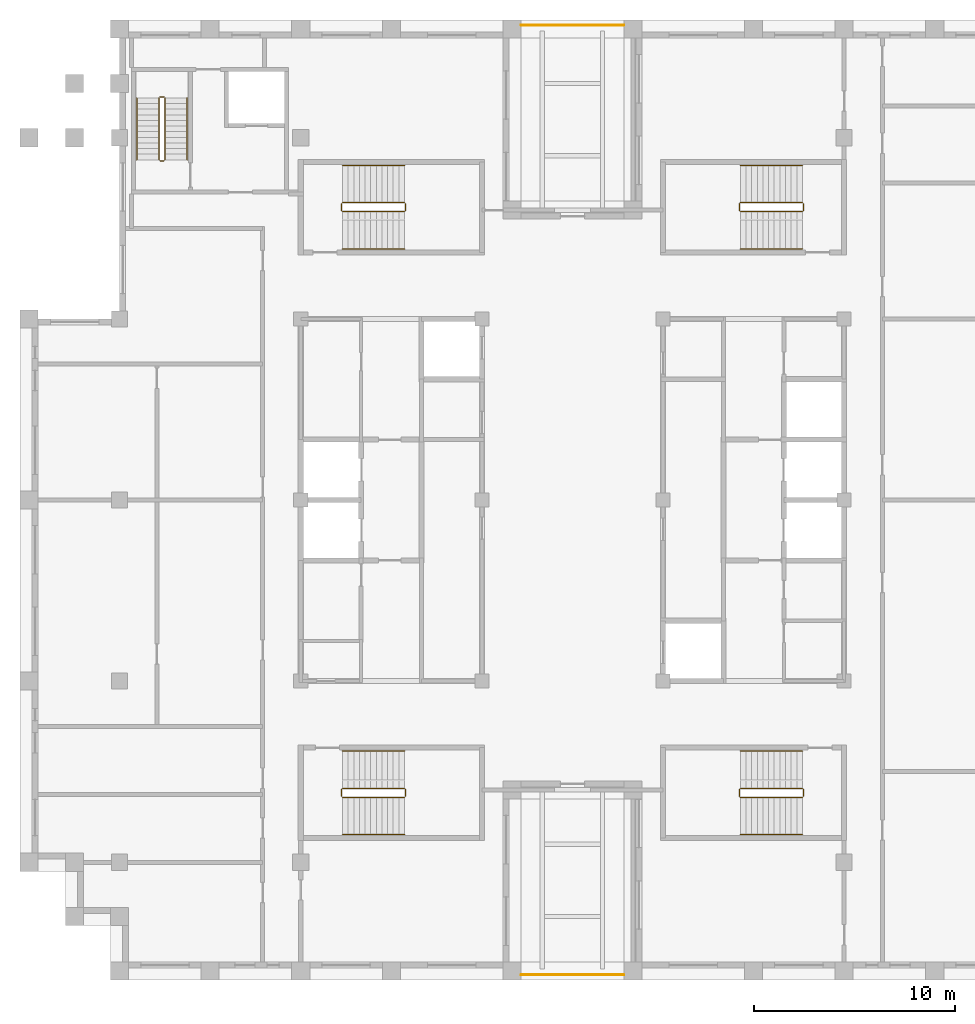
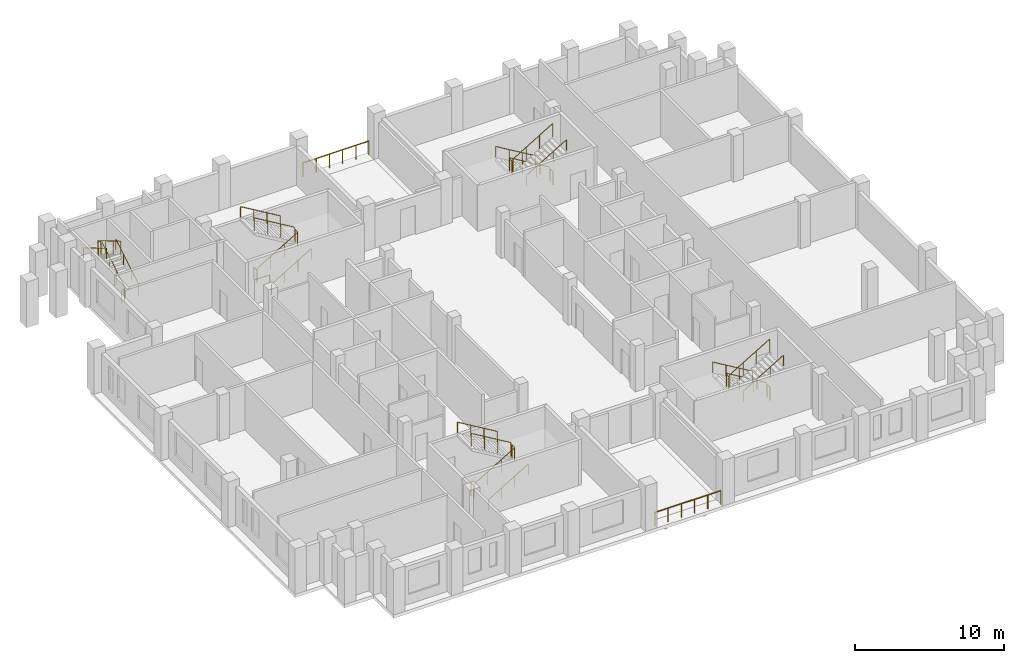
# One storey, part 9 of 9: 7 railings.
"""IFC4 building model written with IfcOpenShell, lengths in metres."""

from ifc_helpers import new_model, si_unit, direction, frame, origin, origin_2d, place, context, subcontext, project, spatial, circle, extrude, material, type_object, element, save


model = new_model("IFC4")

# Units and contexts
model_context = context("Model", 3, precision=1e-05, world=origin(), true_north=direction((0.0, 1.0)))
body_context = subcontext(model_context, "Body", "Model", "MODEL_VIEW")
ifc_project = project(units=[si_unit("LENGTHUNIT", "METRE"), si_unit("AREAUNIT", "SQUARE_METRE"), si_unit("VOLUMEUNIT", "CUBIC_METRE"), si_unit("PLANEANGLEUNIT", "RADIAN"), si_unit("MASSUNIT", "GRAM", prefix="KILO")], contexts=[model_context])

# Site, building, storey
site_placement = place(None, origin())
site = spatial("IfcSite", under=ifc_project, at=site_placement, CompositionType="ELEMENT")
building_placement = place(site_placement, origin())
building = spatial("IfcBuilding", under=site, at=building_placement, Name="Corbelhall Arena Tower", CompositionType="ELEMENT")
storey_placement = place(building_placement, frame((0.0, 0.0, 300.0)))
storey = spatial("IfcBuildingStorey", under=building, at=storey_placement, Name="L65", CompositionType="ELEMENT", Elevation=300.0)

# Railings
ifc_material = material(Name="Steel ASTM A500 Gr C", Category="steel")
railing_type_1 = type_object("IfcRailingType", Name="EV-GD1 Terrace guard 1100", PredefinedType="GUARDRAIL", material=ifc_material)
for number, where, name in (
    (1, (-2.550048828125, 23.60009765625, 0.0), "Guard"),
    (2, (-2.550048828125, -23.60009765625, 0.0), "Guard"),
):
    element("IfcRailing", number, at=place(storey_placement, frame(where)), inside=storey, type_object=railing_type_1, Name=name, PredefinedType="GUARDRAIL", context=body_context, shape_type="SweptSolid", body=[
        extrude(circle(Radius=0.02392578125, at=origin_2d()), frame((0.0, 0.0, 1.1259765625), z_axis=(1.0, 0.0, 0.0), x_axis=(0.0, 1.0, 0.0)), (0.0, 0.0, 1.0), 5.10009765625),
        extrude(circle(Radius=0.02099609375, at=origin_2d()), origin(), (0.0, 0.0, 1.0), 1.101806640625),
        extrude(circle(Radius=0.02099609375, at=origin_2d()), frame((1.02001953125, 0.0, 0.0)), (0.0, 0.0, 1.0), 1.101806640625),
        extrude(circle(Radius=0.02099609375, at=origin_2d()), frame((2.0400390625, 0.0, 0.0)), (0.0, 0.0, 1.0), 1.101806640625),
        extrude(circle(Radius=0.02099609375, at=origin_2d()), frame((3.06005859375, 0.0, 0.0)), (0.0, 0.0, 1.0), 1.101806640625),
        extrude(circle(Radius=0.02099609375, at=origin_2d()), frame((4.080078125, 0.0, 0.0)), (0.0, 0.0, 1.0), 1.101806640625),
        extrude(circle(Radius=0.02099609375, at=origin_2d()), frame((5.10009765625, 0.0, 0.0)), (0.0, 0.0, 1.0), 1.101806640625),
    ])
railing_type_2 = type_object("IfcRailingType", Name="IN-GD-1100", PredefinedType="GUARDRAIL", material=ifc_material)
railing_1_placement = place(storey_placement, frame((-11.425048828125, 14.324951171875, 0.166748046875)))
element("IfcRailing", 3, at=railing_1_placement, inside=storey, type_object=railing_type_2, Name="L65 ST1 stair guards and handrails", PredefinedType="GUARDRAIL", context=body_context, shape_type="SweptSolid", body=[
    extrude(circle(Radius=0.02392578125, at=origin_2d()), frame((0.0, 0.0, 1.076171875), z_axis=(0.859308565015, 0.0, 0.511457515432), x_axis=(0.0, 1.0, 0.0)), (0.0, 0.0, 1.0), 3.58447265625),
    extrude(circle(Radius=0.02392578125, at=origin_2d()), frame((3.130126953125, 0.050048828125, 2.9091796875), z_axis=(0.0, 1.0, 0.0), x_axis=(-1.0, 0.0, 0.0)), (0.0, 0.0, 1.0), 0.35009765625),
    extrude(circle(Radius=0.02392578125, at=origin_2d()), frame((3.080078125, 0.449951171875, 3.076171875), z_axis=(-0.859308565015, 0.0, 0.511457515432), x_axis=(0.0, -1.0, 0.0)), (0.0, 0.0, 1.0), 3.58447265625),
    extrude(circle(Radius=0.02392578125, at=origin_2d()), frame((-0.050048828125, 0.050048828125, 0.9091796875), z_axis=(0.0, 1.0, 0.0), x_axis=(-1.0, 0.0, 0.0)), (0.0, 0.0, 1.0), 0.35009765625),
    extrude(circle(Radius=0.02392578125, at=origin_2d()), frame((0.0, -1.849853515625, 0.8759765625), z_axis=(0.859308565015, 0.0, 0.511457515432), x_axis=(0.0, 1.0, 0.0)), (0.0, 0.0, 1.0), 3.58447265625),
    extrude(circle(Radius=0.02392578125, at=origin_2d()), frame((3.080078125, 2.300048828125, 2.8759765625), z_axis=(-0.859308565015, 0.0, 0.511457515432), x_axis=(0.0, -1.0, 0.0)), (0.0, 0.0, 1.0), 3.58447265625),
    extrude(circle(Radius=0.02099609375, at=origin_2d()), origin(), (0.0, 0.0, 1.0), 1.052001953125),
    extrude(circle(Radius=0.02099609375, at=origin_2d()), frame((1.026611328125, 0.0, 0.611083984375)), (0.0, 0.0, 1.0), 1.052001953125),
    extrude(circle(Radius=0.02099609375, at=origin_2d()), frame((2.053466796875, 0.0, 1.22216796875)), (0.0, 0.0, 1.0), 1.052001953125),
    extrude(circle(Radius=0.02099609375, at=origin_2d()), frame((3.080078125, 0.0, 1.833251953125)), (0.0, 0.0, 1.0), 1.052001953125),
    extrude(circle(Radius=0.02099609375, at=origin_2d()), frame((3.130126953125, 0.050048828125, 1.833251953125)), (0.0, 0.0, 1.0), 1.052001953125),
    extrude(circle(Radius=0.02099609375, at=origin_2d()), frame((3.130126953125, 0.400146484375, 1.833251953125)), (0.0, 0.0, 1.0), 1.052001953125),
    extrude(circle(Radius=0.02099609375, at=origin_2d()), frame((3.080078125, 0.449951171875, 2.0)), (0.0, 0.0, 1.0), 1.052001953125),
    extrude(circle(Radius=0.02099609375, at=origin_2d()), frame((2.053466796875, 0.449951171875, 2.611083984375)), (0.0, 0.0, 1.0), 1.052001953125),
    extrude(circle(Radius=0.02099609375, at=origin_2d()), frame((1.026611328125, 0.449951171875, 3.22216796875)), (0.0, 0.0, 1.0), 1.052001953125),
    extrude(circle(Radius=0.02099609375, at=origin_2d()), frame((0.0, 0.449951171875, 3.833251953125)), (0.0, 0.0, 1.0), 1.052001953125),
    extrude(circle(Radius=0.02099609375, at=origin_2d()), frame((-0.050048828125, 0.050048828125, -0.166748046875)), (0.0, 0.0, 1.0), 1.052001953125),
    extrude(circle(Radius=0.02099609375, at=origin_2d()), frame((-0.050048828125, 0.400146484375, -0.166748046875)), (0.0, 0.0, 1.0), 1.052001953125),
    extrude(circle(Radius=0.02099609375, at=origin_2d()), frame((0.0, -1.849853515625, 0.0)), (0.0, 0.0, 1.0), 0.851806640625),
    extrude(circle(Radius=0.02099609375, at=origin_2d()), frame((1.026611328125, -1.849853515625, 0.611083984375)), (0.0, 0.0, 1.0), 0.851806640625),
    extrude(circle(Radius=0.02099609375, at=origin_2d()), frame((2.053466796875, -1.849853515625, 1.22216796875)), (0.0, 0.0, 1.0), 0.851806640625),
    extrude(circle(Radius=0.02099609375, at=origin_2d()), frame((3.080078125, -1.849853515625, 1.833251953125)), (0.0, 0.0, 1.0), 0.851806640625),
    extrude(circle(Radius=0.02099609375, at=origin_2d()), frame((3.080078125, 2.300048828125, 2.0)), (0.0, 0.0, 1.0), 0.851806640625),
    extrude(circle(Radius=0.02099609375, at=origin_2d()), frame((2.053466796875, 2.300048828125, 2.611083984375)), (0.0, 0.0, 1.0), 0.851806640625),
    extrude(circle(Radius=0.02099609375, at=origin_2d()), frame((1.026611328125, 2.300048828125, 3.22216796875)), (0.0, 0.0, 1.0), 0.851806640625),
    extrude(circle(Radius=0.02099609375, at=origin_2d()), frame((0.0, 2.300048828125, 3.833251953125)), (0.0, 0.0, 1.0), 0.851806640625),
])
railing_2_placement = place(storey_placement, frame((-11.425048828125, -14.77490234375, 0.166748046875)))
element("IfcRailing", 4, at=railing_2_placement, inside=storey, type_object=railing_type_2, Name="L65 ST2 stair guards and handrails", PredefinedType="GUARDRAIL", context=body_context, shape_type="SweptSolid", body=[
    extrude(circle(Radius=0.02392578125, at=origin_2d()), frame((0.0, 0.0, 1.076171875), z_axis=(0.859308565015, 0.0, 0.511457515432), x_axis=(0.0, 1.0, 0.0)), (0.0, 0.0, 1.0), 3.58447265625),
    extrude(circle(Radius=0.02392578125, at=origin_2d()), frame((3.130126953125, 0.0498046875, 2.9091796875), z_axis=(0.0, 1.0, 0.0), x_axis=(-1.0, 0.0, 0.0)), (0.0, 0.0, 1.0), 0.35009765625),
    extrude(circle(Radius=0.02392578125, at=origin_2d()), frame((3.080078125, 0.449951171875, 3.076171875), z_axis=(-0.859308565015, 0.0, 0.511457515432), x_axis=(0.0, -1.0, 0.0)), (0.0, 0.0, 1.0), 3.58447265625),
    extrude(circle(Radius=0.02392578125, at=origin_2d()), frame((-0.050048828125, 0.0498046875, 0.9091796875), z_axis=(0.0, 1.0, 0.0), x_axis=(-1.0, 0.0, 0.0)), (0.0, 0.0, 1.0), 0.35009765625),
    extrude(circle(Radius=0.02392578125, at=origin_2d()), frame((0.0, -1.85009765625, 0.8759765625), z_axis=(0.859308565015, 0.0, 0.511457515432), x_axis=(0.0, 1.0, 0.0)), (0.0, 0.0, 1.0), 3.58447265625),
    extrude(circle(Radius=0.02392578125, at=origin_2d()), frame((3.080078125, 2.2998046875, 2.8759765625), z_axis=(-0.859308565015, 0.0, 0.511457515432), x_axis=(0.0, -1.0, 0.0)), (0.0, 0.0, 1.0), 3.58447265625),
    extrude(circle(Radius=0.02099609375, at=origin_2d()), origin(), (0.0, 0.0, 1.0), 1.052001953125),
    extrude(circle(Radius=0.02099609375, at=origin_2d()), frame((1.026611328125, 0.0, 0.611083984375)), (0.0, 0.0, 1.0), 1.052001953125),
    extrude(circle(Radius=0.02099609375, at=origin_2d()), frame((2.053466796875, 0.0, 1.22216796875)), (0.0, 0.0, 1.0), 1.052001953125),
    extrude(circle(Radius=0.02099609375, at=origin_2d()), frame((3.080078125, 0.0, 1.833251953125)), (0.0, 0.0, 1.0), 1.052001953125),
    extrude(circle(Radius=0.02099609375, at=origin_2d()), frame((3.130126953125, 0.0498046875, 1.833251953125)), (0.0, 0.0, 1.0), 1.052001953125),
    extrude(circle(Radius=0.02099609375, at=origin_2d()), frame((3.130126953125, 0.39990234375, 1.833251953125)), (0.0, 0.0, 1.0), 1.052001953125),
    extrude(circle(Radius=0.02099609375, at=origin_2d()), frame((3.080078125, 0.449951171875, 2.0)), (0.0, 0.0, 1.0), 1.052001953125),
    extrude(circle(Radius=0.02099609375, at=origin_2d()), frame((2.053466796875, 0.449951171875, 2.611083984375)), (0.0, 0.0, 1.0), 1.052001953125),
    extrude(circle(Radius=0.02099609375, at=origin_2d()), frame((1.026611328125, 0.449951171875, 3.22216796875)), (0.0, 0.0, 1.0), 1.052001953125),
    extrude(circle(Radius=0.02099609375, at=origin_2d()), frame((0.0, 0.449951171875, 3.833251953125)), (0.0, 0.0, 1.0), 1.052001953125),
    extrude(circle(Radius=0.02099609375, at=origin_2d()), frame((-0.050048828125, 0.0498046875, -0.166748046875)), (0.0, 0.0, 1.0), 1.052001953125),
    extrude(circle(Radius=0.02099609375, at=origin_2d()), frame((-0.050048828125, 0.39990234375, -0.166748046875)), (0.0, 0.0, 1.0), 1.052001953125),
    extrude(circle(Radius=0.02099609375, at=origin_2d()), frame((0.0, -1.85009765625, 0.0)), (0.0, 0.0, 1.0), 0.851806640625),
    extrude(circle(Radius=0.02099609375, at=origin_2d()), frame((1.026611328125, -1.85009765625, 0.611083984375)), (0.0, 0.0, 1.0), 0.851806640625),
    extrude(circle(Radius=0.02099609375, at=origin_2d()), frame((2.053466796875, -1.85009765625, 1.22216796875)), (0.0, 0.0, 1.0), 0.851806640625),
    extrude(circle(Radius=0.02099609375, at=origin_2d()), frame((3.080078125, -1.85009765625, 1.833251953125)), (0.0, 0.0, 1.0), 0.851806640625),
    extrude(circle(Radius=0.02099609375, at=origin_2d()), frame((3.080078125, 2.2998046875, 2.0)), (0.0, 0.0, 1.0), 0.851806640625),
    extrude(circle(Radius=0.02099609375, at=origin_2d()), frame((2.053466796875, 2.2998046875, 2.611083984375)), (0.0, 0.0, 1.0), 0.851806640625),
    extrude(circle(Radius=0.02099609375, at=origin_2d()), frame((1.026611328125, 2.2998046875, 3.22216796875)), (0.0, 0.0, 1.0), 0.851806640625),
    extrude(circle(Radius=0.02099609375, at=origin_2d()), frame((0.0, 2.2998046875, 3.833251953125)), (0.0, 0.0, 1.0), 0.851806640625),
])
railing_3_placement = place(storey_placement, frame((11.425048828125, 14.77490234375, 0.166748046875)))
element("IfcRailing", 5, at=railing_3_placement, inside=storey, type_object=railing_type_2, Name="L65 ST3 stair guards and handrails", PredefinedType="GUARDRAIL", context=body_context, shape_type="SweptSolid", body=[
    extrude(circle(Radius=0.02392578125, at=origin_2d()), frame((0.0, 0.0, 1.076171875), z_axis=(-0.859308565015, 0.0, 0.511457515432), x_axis=(0.0, -1.0, 0.0)), (0.0, 0.0, 1.0), 3.58447265625),
    extrude(circle(Radius=0.02392578125, at=origin_2d()), frame((-3.130126953125, -0.0498046875, 2.9091796875), z_axis=(0.0, -1.0, 0.0), x_axis=(1.0, 0.0, 0.0)), (0.0, 0.0, 1.0), 0.35009765625),
    extrude(circle(Radius=0.02392578125, at=origin_2d()), frame((-3.080078125, -0.449951171875, 3.076171875), z_axis=(0.859308565015, 0.0, 0.511457515432), x_axis=(0.0, 1.0, 0.0)), (0.0, 0.0, 1.0), 3.58447265625),
    extrude(circle(Radius=0.02392578125, at=origin_2d()), frame((0.050048828125, -0.0498046875, 0.9091796875), z_axis=(0.0, -1.0, 0.0), x_axis=(1.0, 0.0, 0.0)), (0.0, 0.0, 1.0), 0.35009765625),
    extrude(circle(Radius=0.02392578125, at=origin_2d()), frame((0.0, 1.85009765625, 0.8759765625), z_axis=(-0.859308565015, 0.0, 0.511457515432), x_axis=(0.0, -1.0, 0.0)), (0.0, 0.0, 1.0), 3.58447265625),
    extrude(circle(Radius=0.02392578125, at=origin_2d()), frame((-3.080078125, -2.2998046875, 2.8759765625), z_axis=(0.859308565015, 0.0, 0.511457515432), x_axis=(0.0, 1.0, 0.0)), (0.0, 0.0, 1.0), 3.58447265625),
    extrude(circle(Radius=0.02099609375, at=origin_2d()), origin(), (0.0, 0.0, 1.0), 1.052001953125),
    extrude(circle(Radius=0.02099609375, at=origin_2d()), frame((-1.026611328125, 0.0, 0.611083984375)), (0.0, 0.0, 1.0), 1.052001953125),
    extrude(circle(Radius=0.02099609375, at=origin_2d()), frame((-2.053466796875, 0.0, 1.22216796875)), (0.0, 0.0, 1.0), 1.052001953125),
    extrude(circle(Radius=0.02099609375, at=origin_2d()), frame((-3.080078125, 0.0, 1.833251953125)), (0.0, 0.0, 1.0), 1.052001953125),
    extrude(circle(Radius=0.02099609375, at=origin_2d()), frame((-3.130126953125, -0.0498046875, 1.833251953125)), (0.0, 0.0, 1.0), 1.052001953125),
    extrude(circle(Radius=0.02099609375, at=origin_2d()), frame((-3.130126953125, -0.39990234375, 1.833251953125)), (0.0, 0.0, 1.0), 1.052001953125),
    extrude(circle(Radius=0.02099609375, at=origin_2d()), frame((-3.080078125, -0.449951171875, 2.0)), (0.0, 0.0, 1.0), 1.052001953125),
    extrude(circle(Radius=0.02099609375, at=origin_2d()), frame((-2.053466796875, -0.449951171875, 2.611083984375)), (0.0, 0.0, 1.0), 1.052001953125),
    extrude(circle(Radius=0.02099609375, at=origin_2d()), frame((-1.026611328125, -0.449951171875, 3.22216796875)), (0.0, 0.0, 1.0), 1.052001953125),
    extrude(circle(Radius=0.02099609375, at=origin_2d()), frame((0.0, -0.449951171875, 3.833251953125)), (0.0, 0.0, 1.0), 1.052001953125),
    extrude(circle(Radius=0.02099609375, at=origin_2d()), frame((0.050048828125, -0.0498046875, -0.166748046875)), (0.0, 0.0, 1.0), 1.052001953125),
    extrude(circle(Radius=0.02099609375, at=origin_2d()), frame((0.050048828125, -0.39990234375, -0.166748046875)), (0.0, 0.0, 1.0), 1.052001953125),
    extrude(circle(Radius=0.02099609375, at=origin_2d()), frame((0.0, 1.85009765625, 0.0)), (0.0, 0.0, 1.0), 0.851806640625),
    extrude(circle(Radius=0.02099609375, at=origin_2d()), frame((-1.026611328125, 1.85009765625, 0.611083984375)), (0.0, 0.0, 1.0), 0.851806640625),
    extrude(circle(Radius=0.02099609375, at=origin_2d()), frame((-2.053466796875, 1.85009765625, 1.22216796875)), (0.0, 0.0, 1.0), 0.851806640625),
    extrude(circle(Radius=0.02099609375, at=origin_2d()), frame((-3.080078125, 1.85009765625, 1.833251953125)), (0.0, 0.0, 1.0), 0.851806640625),
    extrude(circle(Radius=0.02099609375, at=origin_2d()), frame((-3.080078125, -2.2998046875, 2.0)), (0.0, 0.0, 1.0), 0.851806640625),
    extrude(circle(Radius=0.02099609375, at=origin_2d()), frame((-2.053466796875, -2.2998046875, 2.611083984375)), (0.0, 0.0, 1.0), 0.851806640625),
    extrude(circle(Radius=0.02099609375, at=origin_2d()), frame((-1.026611328125, -2.2998046875, 3.22216796875)), (0.0, 0.0, 1.0), 0.851806640625),
    extrude(circle(Radius=0.02099609375, at=origin_2d()), frame((0.0, -2.2998046875, 3.833251953125)), (0.0, 0.0, 1.0), 0.851806640625),
])
railing_4_placement = place(storey_placement, frame((11.425048828125, -14.324951171875, 0.166748046875)))
element("IfcRailing", 6, at=railing_4_placement, inside=storey, type_object=railing_type_2, Name="L65 ST4 stair guards and handrails", PredefinedType="GUARDRAIL", context=body_context, shape_type="SweptSolid", body=[
    extrude(circle(Radius=0.02392578125, at=origin_2d()), frame((0.0, 0.0, 1.076171875), z_axis=(-0.859308565015, 0.0, 0.511457515432), x_axis=(0.0, -1.0, 0.0)), (0.0, 0.0, 1.0), 3.58447265625),
    extrude(circle(Radius=0.02392578125, at=origin_2d()), frame((-3.130126953125, -0.050048828125, 2.9091796875), z_axis=(0.0, -1.0, 0.0), x_axis=(1.0, 0.0, 0.0)), (0.0, 0.0, 1.0), 0.35009765625),
    extrude(circle(Radius=0.02392578125, at=origin_2d()), frame((-3.080078125, -0.449951171875, 3.076171875), z_axis=(0.859308565015, 0.0, 0.511457515432), x_axis=(0.0, 1.0, 0.0)), (0.0, 0.0, 1.0), 3.58447265625),
    extrude(circle(Radius=0.02392578125, at=origin_2d()), frame((0.050048828125, -0.050048828125, 0.9091796875), z_axis=(0.0, -1.0, 0.0), x_axis=(1.0, 0.0, 0.0)), (0.0, 0.0, 1.0), 0.35009765625),
    extrude(circle(Radius=0.02392578125, at=origin_2d()), frame((0.0, 1.849853515625, 0.8759765625), z_axis=(-0.859308565015, 0.0, 0.511457515432), x_axis=(0.0, -1.0, 0.0)), (0.0, 0.0, 1.0), 3.58447265625),
    extrude(circle(Radius=0.02392578125, at=origin_2d()), frame((-3.080078125, -2.300048828125, 2.8759765625), z_axis=(0.859308565015, 0.0, 0.511457515432), x_axis=(0.0, 1.0, 0.0)), (0.0, 0.0, 1.0), 3.58447265625),
    extrude(circle(Radius=0.02099609375, at=origin_2d()), origin(), (0.0, 0.0, 1.0), 1.052001953125),
    extrude(circle(Radius=0.02099609375, at=origin_2d()), frame((-1.026611328125, 0.0, 0.611083984375)), (0.0, 0.0, 1.0), 1.052001953125),
    extrude(circle(Radius=0.02099609375, at=origin_2d()), frame((-2.053466796875, 0.0, 1.22216796875)), (0.0, 0.0, 1.0), 1.052001953125),
    extrude(circle(Radius=0.02099609375, at=origin_2d()), frame((-3.080078125, 0.0, 1.833251953125)), (0.0, 0.0, 1.0), 1.052001953125),
    extrude(circle(Radius=0.02099609375, at=origin_2d()), frame((-3.130126953125, -0.050048828125, 1.833251953125)), (0.0, 0.0, 1.0), 1.052001953125),
    extrude(circle(Radius=0.02099609375, at=origin_2d()), frame((-3.130126953125, -0.400146484375, 1.833251953125)), (0.0, 0.0, 1.0), 1.052001953125),
    extrude(circle(Radius=0.02099609375, at=origin_2d()), frame((-3.080078125, -0.449951171875, 2.0)), (0.0, 0.0, 1.0), 1.052001953125),
    extrude(circle(Radius=0.02099609375, at=origin_2d()), frame((-2.053466796875, -0.449951171875, 2.611083984375)), (0.0, 0.0, 1.0), 1.052001953125),
    extrude(circle(Radius=0.02099609375, at=origin_2d()), frame((-1.026611328125, -0.449951171875, 3.22216796875)), (0.0, 0.0, 1.0), 1.052001953125),
    extrude(circle(Radius=0.02099609375, at=origin_2d()), frame((0.0, -0.449951171875, 3.833251953125)), (0.0, 0.0, 1.0), 1.052001953125),
    extrude(circle(Radius=0.02099609375, at=origin_2d()), frame((0.050048828125, -0.050048828125, -0.166748046875)), (0.0, 0.0, 1.0), 1.052001953125),
    extrude(circle(Radius=0.02099609375, at=origin_2d()), frame((0.050048828125, -0.400146484375, -0.166748046875)), (0.0, 0.0, 1.0), 1.052001953125),
    extrude(circle(Radius=0.02099609375, at=origin_2d()), frame((0.0, 1.849853515625, 0.0)), (0.0, 0.0, 1.0), 0.851806640625),
    extrude(circle(Radius=0.02099609375, at=origin_2d()), frame((-1.026611328125, 1.849853515625, 0.611083984375)), (0.0, 0.0, 1.0), 0.851806640625),
    extrude(circle(Radius=0.02099609375, at=origin_2d()), frame((-2.053466796875, 1.849853515625, 1.22216796875)), (0.0, 0.0, 1.0), 0.851806640625),
    extrude(circle(Radius=0.02099609375, at=origin_2d()), frame((-3.080078125, 1.849853515625, 1.833251953125)), (0.0, 0.0, 1.0), 0.851806640625),
    extrude(circle(Radius=0.02099609375, at=origin_2d()), frame((-3.080078125, -2.300048828125, 2.0)), (0.0, 0.0, 1.0), 0.851806640625),
    extrude(circle(Radius=0.02099609375, at=origin_2d()), frame((-2.053466796875, -2.300048828125, 2.611083984375)), (0.0, 0.0, 1.0), 0.851806640625),
    extrude(circle(Radius=0.02099609375, at=origin_2d()), frame((-1.026611328125, -2.300048828125, 3.22216796875)), (0.0, 0.0, 1.0), 0.851806640625),
    extrude(circle(Radius=0.02099609375, at=origin_2d()), frame((0.0, -2.300048828125, 3.833251953125)), (0.0, 0.0, 1.0), 0.851806640625),
])
railing_5_placement = place(storey_placement, frame((-20.2451171875, 16.89990234375, 0.166748046875)))
element("IfcRailing", 7, at=railing_5_placement, inside=storey, type_object=railing_type_2, Name="L65 ST5 stair guards and handrails", PredefinedType="GUARDRAIL", context=body_context, shape_type="SweptSolid", body=[
    extrude(circle(Radius=0.02392578125, at=origin_2d()), frame((0.0, 0.0, 1.076171875), z_axis=(0.0, 0.859308565015, 0.511457515432), x_axis=(-1.0, 0.0, 0.0)), (0.0, 0.0, 1.0), 3.58447265625),
    extrude(circle(Radius=0.02392578125, at=origin_2d()), frame((-0.0498046875, 3.130126953125, 2.9091796875), z_axis=(-1.0, 0.0, 0.0), x_axis=(0.0, -1.0, 0.0)), (0.0, 0.0, 1.0), 0.2001953125),
    extrude(circle(Radius=0.02392578125, at=origin_2d()), frame((-0.2998046875, 3.080078125, 3.076171875), z_axis=(0.0, -0.859308565015, 0.511457515432), x_axis=(1.0, 0.0, 0.0)), (0.0, 0.0, 1.0), 3.58447265625),
    extrude(circle(Radius=0.02392578125, at=origin_2d()), frame((-0.0498046875, -0.0498046875, 0.9091796875), z_axis=(-1.0, 0.0, 0.0), x_axis=(0.0, -1.0, 0.0)), (0.0, 0.0, 1.0), 0.2001953125),
    extrude(circle(Radius=0.02392578125, at=origin_2d()), frame((1.10009765625, 0.0, 0.8759765625), z_axis=(0.0, 0.859308565015, 0.511457515432), x_axis=(-1.0, 0.0, 0.0)), (0.0, 0.0, 1.0), 3.58447265625),
    extrude(circle(Radius=0.02392578125, at=origin_2d()), frame((-1.39990234375, 3.080078125, 2.8759765625), z_axis=(0.0, -0.859308565015, 0.511457515432), x_axis=(1.0, 0.0, 0.0)), (0.0, 0.0, 1.0), 3.58447265625),
    extrude(circle(Radius=0.02099609375, at=origin_2d()), origin(), (0.0, 0.0, 1.0), 1.052001953125),
    extrude(circle(Radius=0.02099609375, at=origin_2d()), frame((0.0, 1.026611328125, 0.611083984375)), (0.0, 0.0, 1.0), 1.052001953125),
    extrude(circle(Radius=0.02099609375, at=origin_2d()), frame((0.0, 2.053466796875, 1.22216796875)), (0.0, 0.0, 1.0), 1.052001953125),
    extrude(circle(Radius=0.02099609375, at=origin_2d()), frame((0.0, 3.080078125, 1.833251953125)), (0.0, 0.0, 1.0), 1.052001953125),
    extrude(circle(Radius=0.02099609375, at=origin_2d()), frame((-0.0498046875, 3.130126953125, 1.833251953125)), (0.0, 0.0, 1.0), 1.052001953125),
    extrude(circle(Radius=0.02099609375, at=origin_2d()), frame((-0.25, 3.130126953125, 1.833251953125)), (0.0, 0.0, 1.0), 1.052001953125),
    extrude(circle(Radius=0.02099609375, at=origin_2d()), frame((-0.2998046875, 3.080078125, 2.0)), (0.0, 0.0, 1.0), 1.052001953125),
    extrude(circle(Radius=0.02099609375, at=origin_2d()), frame((-0.2998046875, 2.053466796875, 2.611083984375)), (0.0, 0.0, 1.0), 1.052001953125),
    extrude(circle(Radius=0.02099609375, at=origin_2d()), frame((-0.2998046875, 1.026611328125, 3.22216796875)), (0.0, 0.0, 1.0), 1.052001953125),
    extrude(circle(Radius=0.02099609375, at=origin_2d()), frame((-0.2998046875, 0.0, 3.833251953125)), (0.0, 0.0, 1.0), 1.052001953125),
    extrude(circle(Radius=0.02099609375, at=origin_2d()), frame((-0.0498046875, -0.0498046875, -0.166748046875)), (0.0, 0.0, 1.0), 1.052001953125),
    extrude(circle(Radius=0.02099609375, at=origin_2d()), frame((-0.25, -0.0498046875, -0.166748046875)), (0.0, 0.0, 1.0), 1.052001953125),
    extrude(circle(Radius=0.02099609375, at=origin_2d()), frame((1.10009765625, 0.0, 0.0)), (0.0, 0.0, 1.0), 0.851806640625),
    extrude(circle(Radius=0.02099609375, at=origin_2d()), frame((1.10009765625, 1.026611328125, 0.611083984375)), (0.0, 0.0, 1.0), 0.851806640625),
    extrude(circle(Radius=0.02099609375, at=origin_2d()), frame((1.10009765625, 2.053466796875, 1.22216796875)), (0.0, 0.0, 1.0), 0.851806640625),
    extrude(circle(Radius=0.02099609375, at=origin_2d()), frame((1.10009765625, 3.080078125, 1.833251953125)), (0.0, 0.0, 1.0), 0.851806640625),
    extrude(circle(Radius=0.02099609375, at=origin_2d()), frame((-1.39990234375, 3.080078125, 2.0)), (0.0, 0.0, 1.0), 0.851806640625),
    extrude(circle(Radius=0.02099609375, at=origin_2d()), frame((-1.39990234375, 2.053466796875, 2.611083984375)), (0.0, 0.0, 1.0), 0.851806640625),
    extrude(circle(Radius=0.02099609375, at=origin_2d()), frame((-1.39990234375, 1.026611328125, 3.22216796875)), (0.0, 0.0, 1.0), 0.851806640625),
    extrude(circle(Radius=0.02099609375, at=origin_2d()), frame((-1.39990234375, 0.0, 3.833251953125)), (0.0, 0.0, 1.0), 0.851806640625),
])

save(model, "model.ifc")
